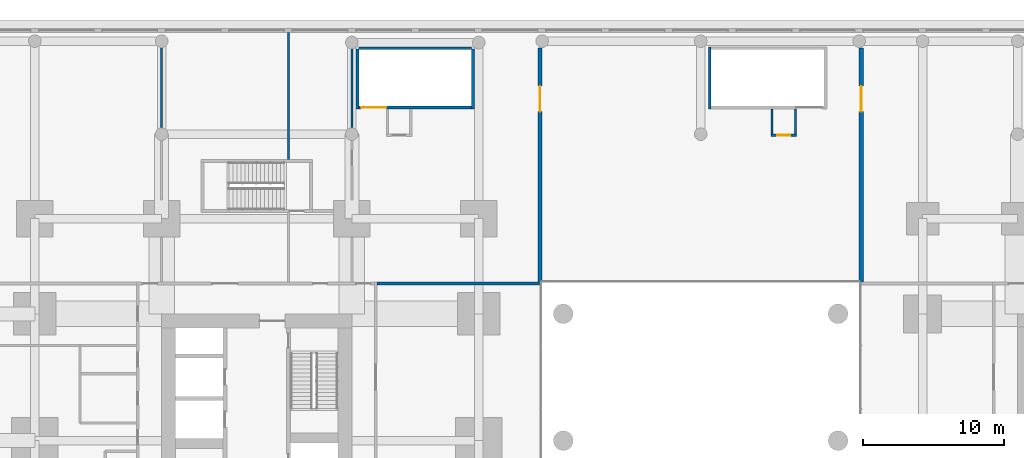
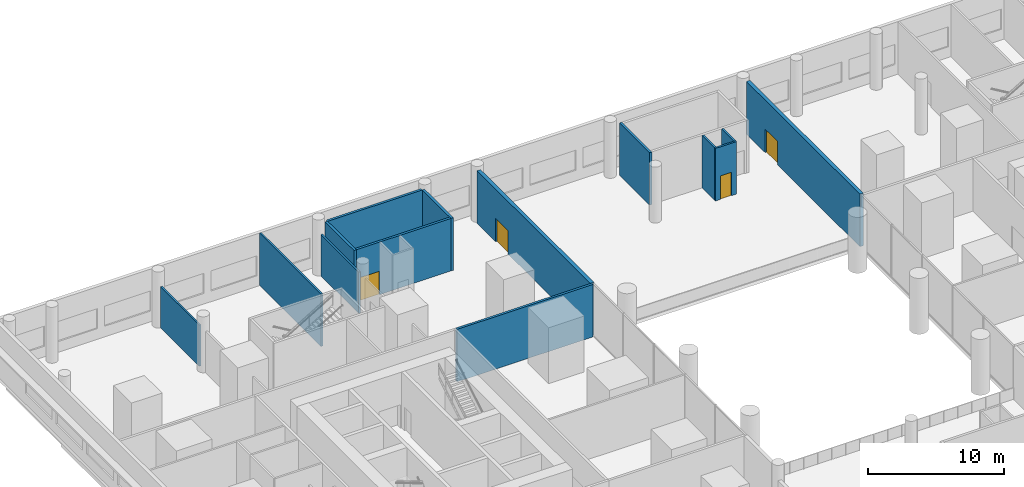
# One storey, part 13 of 20: 14 walls, 4 doors, 4 openings.
"""IFC4 building model written with IfcOpenShell, lengths in metres."""

from ifc_helpers import new_model, si_unit, direction, frame, frame_2d, origin, place, context, subcontext, project, spatial, rectangle, extrude, material, layer, layer_set, type_object, element, fill, save


model = new_model("IFC4")

# Units and contexts
model_context = context("Model", 3, precision=1e-05, world=origin(), true_north=direction((0.0, 1.0)))
body_context = subcontext(model_context, "Body", "Model", "MODEL_VIEW")
ifc_project = project(units=[si_unit("LENGTHUNIT", "METRE"), si_unit("AREAUNIT", "SQUARE_METRE"), si_unit("VOLUMEUNIT", "CUBIC_METRE"), si_unit("PLANEANGLEUNIT", "RADIAN"), si_unit("MASSUNIT", "GRAM", prefix="KILO")], contexts=[model_context])

# Site, building, storey
site_placement = place(None, origin())
site = spatial("IfcSite", under=ifc_project, at=site_placement, CompositionType="ELEMENT")
building_placement = place(site_placement, origin())
building = spatial("IfcBuilding", under=site, at=building_placement, Name="Namib Vertical Campus", CompositionType="ELEMENT")
storey_placement = place(building_placement, frame((0.0, 0.0, 16.0)))
storey = spatial("IfcBuildingStorey", under=building, at=storey_placement, Name="L03", CompositionType="ELEMENT", Elevation=16.0)

# Wall
ifc_material_1 = material(Name="Concrete masonry", Category="masonry")
ifc_layer_1 = layer(ifc_material_1, 0.199951171875)
ifc_layer_set_1 = layer_set([ifc_layer_1], Name="Corridor wall 200")
wall_type_1 = type_object("IfcWallType", Name="Corridor wall 200", PredefinedType="SOLIDWALL", material=ifc_layer_set_1)
wall_1_placement = place(storey_placement, frame((28.800048828125, 31.39990234375, 0.0), z_axis=(0.0, 0.0, 1.0), x_axis=(1.0, 0.0, 0.0)))
element("IfcWall", 1, at=wall_1_placement, inside=storey, type_object=wall_type_1, Name="Partition A L03 BNE", PredefinedType="SOLIDWALL", context=body_context, shape_type="SweptSolid", body=[
    extrude(rectangle(XDim=11.52001953125, YDim=0.199951171875, at=frame_2d((5.760009765625, 0.0))), origin(), (0.0, 0.0, 1.0), 4.699951171875),
])

# Wall, opening, door
ifc_material_2 = material(Name="Concrete masonry", Category="masonry")
ifc_layer_2 = layer(ifc_material_2, 0.300048828125)
ifc_layer_set_2 = layer_set([ifc_layer_2], Name="Fire wall 300")
wall_type_2 = type_object("IfcWallType", Name="Fire wall 300", PredefinedType="SOLIDWALL", material=ifc_layer_set_2)
wall_2_placement = place(storey_placement, frame((40.35009765625, 31.5, 0.0), z_axis=(0.0, 0.0, 1.0), x_axis=(0.0, 1.0, 0.0)))
wall_2 = element("IfcWall", 2, at=wall_2_placement, inside=storey, type_object=wall_type_2, Name="Fire wall A L03", PredefinedType="SOLIDWALL", context=body_context, shape_type="SweptSolid", body=[
    extrude(rectangle(XDim=16.6298828125, YDim=0.300048828125, at=frame_2d((8.31494140625, 0.0))), origin(), (0.0, 0.0, 1.0), 4.699951171875),
])
opening_1_placement = place(wall_2_placement, frame((12.10009765625, 0.0, 0.0)))
opening_1 = element("IfcOpeningElement", 3, at=opening_1_placement, cuts=wall_2, Name="Opening FD2", PredefinedType="OPENING", context=body_context, shape_type="SweptSolid", body=[
    extrude(rectangle(XDim=1.800048828125, YDim=2.10009765625, at=frame_2d((0.89990234375, 1.050048828125))), frame((0.0, 0.159912109375, 0.0), z_axis=(0.0, -1.0, 0.0), x_axis=(1.0, 0.0, 0.0)), (0.0, 0.0, 1.0), 0.320068359375),
])
ifc_material_3 = material(Name="Steel fire door", Category="steel")
door_type_1 = type_object("IfcDoorType", Name="Fire door double 1800x2100", OperationType="DOUBLE_DOOR_SINGLE_SWING", PredefinedType="DOOR", material=ifc_material_3)
door_1_placement = place(opening_1_placement, origin())
door_1 = element("IfcDoor", 4, at=door_1_placement, inside=storey, type_object=door_type_1, Name="Door FD2 middle A L03 2", OperationType="DOUBLE_DOOR_SINGLE_SWING", OverallHeight=2.10009765625, OverallWidth=1.800048828125, PredefinedType="DOOR", context=body_context, shape_type="SweptSolid", body=[
    extrude(rectangle(XDim=1.800048828125, YDim=2.10009765625, at=frame_2d((0.89990234375, 1.050048828125))), frame((0.0, 0.02490234375, 0.0), z_axis=(0.0, -1.0, 0.0), x_axis=(1.0, 0.0, 0.0)), (0.0, 0.0, 1.0), 0.050048828125),
])
fill(opening_1, door_1)

wall_3_placement = place(storey_placement, frame((63.14990234375, 31.5, 0.0), z_axis=(0.0, 0.0, 1.0), x_axis=(0.0, 1.0, 0.0)))
wall_3 = element("IfcWall", 5, at=wall_3_placement, inside=storey, type_object=wall_type_2, Name="Fire wall B L03", PredefinedType="SOLIDWALL", context=body_context, shape_type="SweptSolid", body=[
    extrude(rectangle(XDim=16.6298828125, YDim=0.300048828125, at=frame_2d((8.31494140625, 0.0))), origin(), (0.0, 0.0, 1.0), 4.699951171875),
])
opening_2_placement = place(wall_3_placement, frame((12.10009765625, 0.0, 0.0)))
opening_2 = element("IfcOpeningElement", 6, at=opening_2_placement, cuts=wall_3, Name="Opening FD2", PredefinedType="OPENING", context=body_context, shape_type="SweptSolid", body=[
    extrude(rectangle(XDim=1.800048828125, YDim=2.10009765625, at=frame_2d((0.89990234375, 1.050048828125))), frame((0.0, 0.159912109375, 0.0), z_axis=(0.0, -1.0, 0.0), x_axis=(1.0, 0.0, 0.0)), (0.0, 0.0, 1.0), 0.320068359375),
])
door_2_placement = place(opening_2_placement, origin())
door_2 = element("IfcDoor", 7, at=door_2_placement, inside=storey, type_object=door_type_1, Name="Door FD2 middle B L03 2", OperationType="DOUBLE_DOOR_SINGLE_SWING", OverallHeight=2.10009765625, OverallWidth=1.800048828125, PredefinedType="DOOR", context=body_context, shape_type="SweptSolid", body=[
    extrude(rectangle(XDim=1.800048828125, YDim=2.10009765625, at=frame_2d((0.89990234375, 1.050048828125))), frame((0.0, 0.02490234375, 0.0), z_axis=(0.0, -1.0, 0.0), x_axis=(1.0, 0.0, 0.0)), (0.0, 0.0, 1.0), 0.050048828125),
])
fill(opening_2, door_2)

# Walls
ifc_material_4 = material(Name="Gypsum board on steel studs", Category="steel")
ifc_layer_3 = layer(ifc_material_4, 0.14990234375)
ifc_layer_set_3 = layer_set([ifc_layer_3], Name="Gypsum board on steel studs")
wall_type_3 = type_object("IfcWallType", Name="Partition 150", PredefinedType="PARTITIONING", material=ifc_layer_set_3)
wall_4_placement = place(storey_placement, frame((13.5, 42.469970703125, 0.0), z_axis=(0.0, 0.0, 1.0), x_axis=(0.0, 1.0, 0.0)))
element("IfcWall", 8, at=wall_4_placement, inside=storey, type_object=wall_type_3, Name="Partition A L03 PN1", PredefinedType="PARTITIONING", context=body_context, shape_type="SweptSolid", body=[
    extrude(rectangle(XDim=5.659912109375, YDim=0.14990234375, at=frame_2d((2.830078125, 0.0))), origin(), (0.0, 0.0, 1.0), 3.699951171875),
])
wall_5_placement = place(storey_placement, frame((22.5, 40.199951171875, 0.0), z_axis=(0.0, 0.0, 1.0), x_axis=(0.0, 1.0, 0.0)))
element("IfcWall", 9, at=wall_5_placement, inside=storey, type_object=wall_type_3, Name="Partition A L03 PN3", PredefinedType="PARTITIONING", context=body_context, shape_type="SweptSolid", body=[
    extrude(rectangle(XDim=9.0, YDim=0.14990234375, at=frame_2d((4.5, 0.0))), origin(), (0.0, 0.0, 1.0), 4.699951171875),
])
wall_6_placement = place(storey_placement, frame((27.0, 42.469970703125, 0.0), z_axis=(0.0, 0.0, 1.0), x_axis=(0.0, 1.0, 0.0)))
element("IfcWall", 10, at=wall_6_placement, inside=storey, type_object=wall_type_3, Name="Partition A L03 PN2", PredefinedType="PARTITIONING", context=body_context, shape_type="SweptSolid", body=[
    extrude(rectangle(XDim=5.56005859375, YDim=0.14990234375, at=frame_2d((2.780029296875, 0.0))), origin(), (0.0, 0.0, 1.0), 3.699951171875),
])
wall_7_placement = place(storey_placement, frame((58.47509765625, 42.0, 0.0), z_axis=(0.0, 0.0, 1.0), x_axis=(0.0, 1.0, 0.0)))
element("IfcWall", 11, at=wall_7_placement, inside=storey, type_object=wall_type_3, Name="Refuge cell partition P-S3 L03", PredefinedType="PARTITIONING", context=body_context, shape_type="SweptSolid", body=[
    extrude(rectangle(XDim=1.800048828125, YDim=0.14990234375, at=frame_2d((0.89990234375, 0.0))), origin(), (0.0, 0.0, 1.0), 4.699951171875),
])

# Wall, opening, door
wall_8_placement = place(storey_placement, frame((56.75, 41.925048828125, 0.0), z_axis=(0.0, 0.0, 1.0), x_axis=(1.0, 0.0, 0.0)))
wall_8 = element("IfcWall", 12, at=wall_8_placement, inside=storey, type_object=wall_type_3, Name="Refuge cell partition P-S3 L03", PredefinedType="PARTITIONING", context=body_context, shape_type="SweptSolid", body=[
    extrude(rectangle(XDim=1.800048828125, YDim=0.14990234375, at=frame_2d((0.89990234375, 0.0))), origin(), (0.0, 0.0, 1.0), 4.699951171875),
])
opening_3_placement = place(wall_8_placement, frame((0.449951171875, 0.0, 0.0)))
opening_3 = element("IfcOpeningElement", 13, at=opening_3_placement, cuts=wall_8, Name="Opening RD2", PredefinedType="OPENING", context=body_context, shape_type="SweptSolid", body=[
    extrude(rectangle(XDim=0.89990234375, YDim=2.10009765625, at=frame_2d((0.449951171875, 1.050048828125))), frame((0.0, 0.0849609375, 0.0), z_axis=(0.0, -1.0, 0.0), x_axis=(1.0, 0.0, 0.0)), (0.0, 0.0, 1.0), 0.169921875),
])
ifc_material_5 = material(Name="Timber fire door leaf", Category="wood")
door_type_2 = type_object("IfcDoorType", Name="Refuge cell door 900x2100 30 min", OperationType="SINGLE_SWING_LEFT", PredefinedType="DOOR", material=ifc_material_5)
door_3_placement = place(opening_3_placement, origin())
door_3 = element("IfcDoor", 14, at=door_3_placement, inside=storey, type_object=door_type_2, Name="Door RD2 Refuge area P-S3 L03", OperationType="SINGLE_SWING_LEFT", OverallHeight=2.10009765625, OverallWidth=0.89990234375, PredefinedType="DOOR", context=body_context, shape_type="SweptSolid", body=[
    extrude(rectangle(XDim=0.89990234375, YDim=2.10009765625, at=frame_2d((0.449951171875, 1.050048828125))), frame((0.0, 0.02490234375, 0.0), z_axis=(0.0, -1.0, 0.0), x_axis=(1.0, 0.0, 0.0)), (0.0, 0.0, 1.0), 0.050048828125),
])
fill(opening_3, door_3)

# Wall
wall_9_placement = place(storey_placement, frame((56.824951171875, 42.0, 0.0), z_axis=(0.0, 0.0, 1.0), x_axis=(0.0, 1.0, 0.0)))
element("IfcWall", 15, at=wall_9_placement, inside=storey, type_object=wall_type_3, Name="Refuge cell partition P-S3 L03", PredefinedType="PARTITIONING", context=body_context, shape_type="SweptSolid", body=[
    extrude(rectangle(XDim=1.800048828125, YDim=0.14990234375, at=frame_2d((0.89990234375, 0.0))), origin(), (0.0, 0.0, 1.0), 4.699951171875),
])

# Wall, opening, door
ifc_material_6 = material(Name="Concrete C40/50", Category="concrete")
ifc_layer_4 = layer(ifc_material_6, 0.199951171875)
ifc_layer_set_4 = layer_set([ifc_layer_4], Name="Concrete C40/50")
wall_type_4 = type_object("IfcWallType", Name="Stair enclosure wall RC 200", PredefinedType="SOLIDWALL", material=ifc_layer_set_4)
wall_10_placement = place(storey_placement, frame((27.5, 43.89990234375, 0.0), z_axis=(0.0, 0.0, 1.0), x_axis=(1.0, 0.0, 0.0)))
wall_10 = element("IfcWall", 16, at=wall_10_placement, inside=storey, type_object=wall_type_4, Name="Stair enclosure wall P-S1 L03 room side", PredefinedType="SOLIDWALL", context=body_context, shape_type="SweptSolid", body=[
    extrude(rectangle(XDim=8.0, YDim=0.199951171875, at=frame_2d((4.0, 0.0))), origin(), (0.0, 0.0, 1.0), 4.699951171875),
])
opening_4_placement = place(wall_10_placement, frame((0.14990234375, 0.0, 0.0)))
opening_4 = element("IfcOpeningElement", 17, at=opening_4_placement, cuts=wall_10, Name="Opening FD2", PredefinedType="OPENING", context=body_context, shape_type="SweptSolid", body=[
    extrude(rectangle(XDim=1.800048828125, YDim=2.10009765625, at=frame_2d((0.89990234375, 1.050048828125))), frame((0.0, 0.10986328125, 0.0), z_axis=(0.0, -1.0, 0.0), x_axis=(1.0, 0.0, 0.0)), (0.0, 0.0, 1.0), 0.219970703125),
])
door_4_placement = place(opening_4_placement, origin())
door_4 = element("IfcDoor", 18, at=door_4_placement, inside=storey, type_object=door_type_1, Name="Stair door FD2 P-S1 L03", OperationType="DOUBLE_DOOR_SINGLE_SWING", OverallHeight=2.10009765625, OverallWidth=1.800048828125, PredefinedType="DOOR", context=body_context, shape_type="SweptSolid", body=[
    extrude(rectangle(XDim=1.800048828125, YDim=2.10009765625, at=frame_2d((0.89990234375, 1.050048828125))), frame((0.0, 0.02490234375, 0.0), z_axis=(0.0, -1.0, 0.0), x_axis=(1.0, 0.0, 0.0)), (0.0, 0.0, 1.0), 0.050048828125),
])
fill(opening_4, door_4)

# Walls
wall_11_placement = place(storey_placement, frame((27.5, 48.10009765625, 0.0), z_axis=(0.0, 0.0, 1.0), x_axis=(1.0, 0.0, 0.0)))
element("IfcWall", 19, at=wall_11_placement, inside=storey, type_object=wall_type_4, Name="Stair enclosure wall P-S1 L03 facade side", PredefinedType="SOLIDWALL", context=body_context, shape_type="SweptSolid", body=[
    extrude(rectangle(XDim=8.0, YDim=0.199951171875, at=frame_2d((4.0, 0.0))), origin(), (0.0, 0.0, 1.0), 4.699951171875),
])
for number, where, z_axis, x_axis, name in (
    (20, (27.39990234375, 43.800048828125, 0.0), (0.0, 0.0, 1.0), (0.0, 1.0, 0.0), "Stair enclosure wall P-S1 L03 W"),
    (21, (35.60009765625, 43.800048828125, 0.0), (0.0, 0.0, 1.0), (0.0, 1.0, 0.0), "Stair enclosure wall P-S1 L03 E"),
):
    element("IfcWall", number, at=place(storey_placement, frame(where, z_axis=z_axis, x_axis=x_axis)), inside=storey, type_object=wall_type_4, Name=name, PredefinedType="SOLIDWALL", context=body_context, shape_type="SweptSolid", body=[
        extrude(rectangle(XDim=4.22998046875, YDim=0.199951171875, at=frame_2d((2.114990234375, 0.0))), origin(), (0.0, 0.0, 1.0), 4.699951171875),
    ])
wall_12_placement = place(storey_placement, frame((52.39990234375, 43.800048828125, 0.0), z_axis=(0.0, 0.0, 1.0), x_axis=(0.0, 1.0, 0.0)))
element("IfcWall", 22, at=wall_12_placement, inside=storey, type_object=wall_type_4, Name="Stair enclosure wall P-S3 L03 W", PredefinedType="SOLIDWALL", context=body_context, shape_type="SweptSolid", body=[
    extrude(rectangle(XDim=4.39990234375, YDim=0.199951171875, at=frame_2d((2.199951171875, 0.0))), origin(), (0.0, 0.0, 1.0), 4.699951171875),
])

save(model, "model.ifc")
